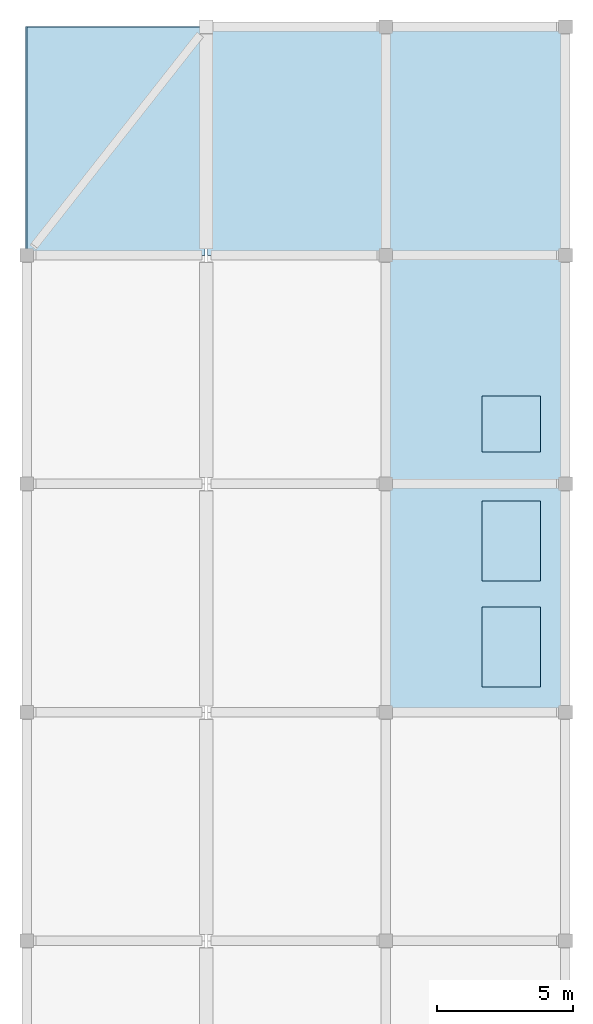
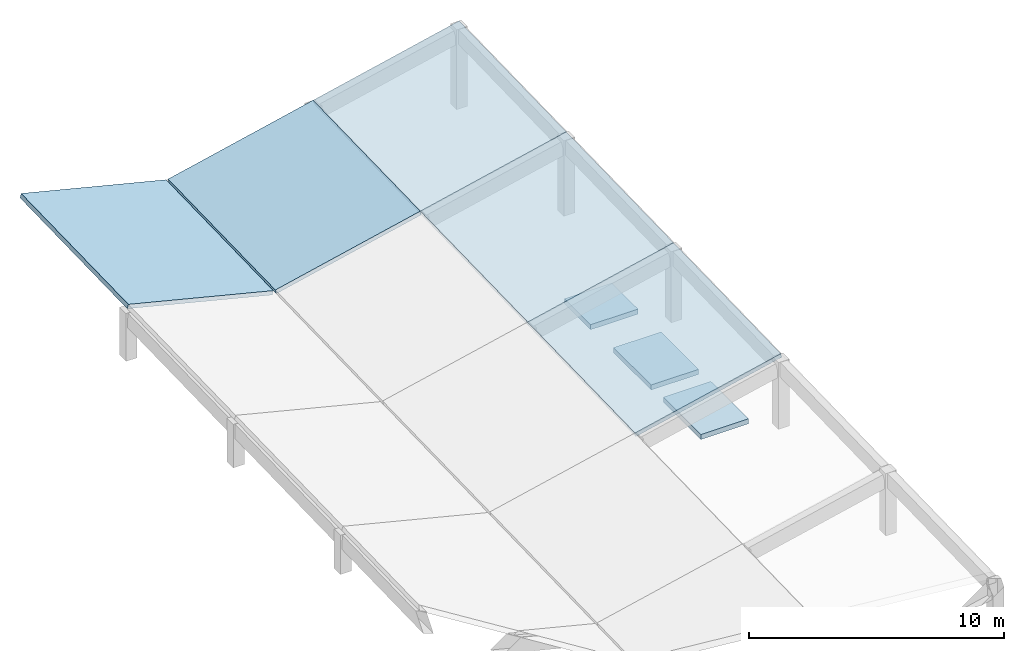
# One storey, part 2 of 2: 8 slabs.
"""IFC4 building model written with IfcOpenShell, lengths in metres."""

from ifc_helpers import new_model, si_unit, direction, frame, origin, place, context, subcontext, project, spatial, polyline, outline, extrude, material, layer, layer_set, type_object, element, save


model = new_model("IFC4")

# Units and contexts
model_context = context("Model", 3, precision=1e-05, world=origin(), true_north=direction((0.0, 1.0)))
body_context = subcontext(model_context, "Body", "Model", "MODEL_VIEW")
ifc_project = project(units=[si_unit("LENGTHUNIT", "METRE"), si_unit("AREAUNIT", "SQUARE_METRE"), si_unit("VOLUMEUNIT", "CUBIC_METRE"), si_unit("PLANEANGLEUNIT", "RADIAN"), si_unit("MASSUNIT", "GRAM", prefix="KILO")], contexts=[model_context])

# Site, building, storey
site_placement = place(None, origin())
site = spatial("IfcSite", under=ifc_project, at=site_placement, CompositionType="ELEMENT")
building_placement = place(site_placement, origin())
building = spatial("IfcBuilding", under=site, at=building_placement, Name="Qaldarim Faculty of Natural and Applied Sciences", CompositionType="ELEMENT")
storey_placement = place(building_placement, frame((0.0, 0.0, 51.0)))
storey = spatial("IfcBuildingStorey", under=building, at=storey_placement, Name="RF", CompositionType="ELEMENT", Elevation=51.0)

# Slabs
ifc_material = material(Name="Concrete C40/50", Category="concrete")
ifc_layer_1 = layer(ifc_material, 0.239990234375)
ifc_layer_set_1 = layer_set([ifc_layer_1], Name="Concrete C40/50")
slab_type_1 = type_object("IfcSlabType", Name="FlatStructuralRoofSlab-240", PredefinedType="ROOF", material=ifc_layer_set_1)
slab_1_placement = place(storey_placement, frame((0.0, 0.0, -0.199951171875)))
element("IfcSlab", 1, at=slab_1_placement, inside=storey, type_object=slab_type_1, Name="Lift LF-A1 overrun roof cap", PredefinedType="ROOF", context=body_context, shape_type="SweptSolid", body=[
    extrude(outline(polyline([(175.125, 17.72509765625), (177.27490234375, 17.72509765625), (177.27490234375, 20.675048828125), (175.125, 20.675048828125), (175.125, 17.72509765625)])), origin(), (0.0, 0.0, 1.0), 0.239990234375),
])
slab_2_placement = place(storey_placement, frame((0.0, 0.0, -0.199951171875)))
element("IfcSlab", 2, at=slab_2_placement, inside=storey, type_object=slab_type_1, Name="Lift LF-A2 overrun roof cap", PredefinedType="ROOF", context=body_context, shape_type="SweptSolid", body=[
    extrude(outline(polyline([(175.125, 21.625), (177.27490234375, 21.625), (177.27490234375, 24.574951171875), (175.125, 24.574951171875), (175.125, 21.625)])), origin(), (0.0, 0.0, 1.0), 0.239990234375),
])
slab_3_placement = place(storey_placement, frame((0.0, 0.0, -0.199951171875)))
element("IfcSlab", 3, at=slab_3_placement, inside=storey, type_object=slab_type_1, Name="Lift LF-A3 overrun roof cap", PredefinedType="ROOF", context=body_context, shape_type="SweptSolid", body=[
    extrude(outline(polyline([(175.125, 26.375), (177.27490234375, 26.375), (177.27490234375, 28.425048828125), (175.125, 28.425048828125), (175.125, 26.375)])), origin(), (0.0, 0.0, 1.0), 0.239990234375),
])
ifc_layer_2 = layer(ifc_material, 0.199951171875)
ifc_layer_set_2 = layer_set([ifc_layer_2], Name="Concrete C40/50")
slab_type_2 = type_object("IfcSlabType", Name="ObservatorySlopedRoofSlab-200", PredefinedType="ROOF", material=ifc_layer_set_2)
slab_4_placement = place(storey_placement, frame((158.351318359375, 33.60498046875, 2.2958984375), z_axis=(0.242447348337, -0.024242312597, 0.969861636299), x_axis=(0.970146750831, 0.0, -0.24251862166)))
element("IfcSlab", 4, at=slab_4_placement, inside=storey, type_object=slab_type_2, Name="Observatory folded butterfly roof panel X25Y05", PredefinedType="ROOF", context=body_context, shape_type="SweptSolid", body=[
    extrude(outline(polyline([(0.0, 0.0), (6.75689092978439, 6.938893903907228e-18), (6.705971492619395, 8.402371700343386), (-0.050919437164995286, 8.402371700343386), (0.0, 0.0)])), origin(), (0.0, 0.0, 1.0), 0.199951171875),
])
slab_5_placement = place(storey_placement, frame((165.0888671875, 33.60498046875, 0.655029296875), z_axis=(-0.219438310949, -0.024378791458, 0.975321742921), x_axis=(0.975611701453, 0.0, 0.219503548919)))
element("IfcSlab", 5, at=slab_5_placement, inside=storey, type_object=slab_type_2, Name="Observatory folded butterfly roof panel X26Y05", PredefinedType="ROOF", context=body_context, shape_type="SweptSolid", body=[
    extrude(outline(polyline([(0.0, 0.0), (6.719041778083983, 0.0), (6.765128948999609, 8.402399594906779), (0.046087170915627154, 8.402399594906779), (0.0, 0.0)])), origin(), (0.0, 0.0, 1.0), 0.199951171875),
])
slab_6_placement = place(storey_placement, frame((171.64404296875, 16.804931640625, 1.7099609375), z_axis=(-0.219449454596, -0.024392893648, 0.975318883041), x_axis=(0.975609178728, -4.29302e-07, 0.219514761194)))
element("IfcSlab", 6, at=slab_6_placement, inside=storey, type_object=slab_type_2, Name="Observatory folded butterfly roof panel X27Y03", PredefinedType="ROOF", context=body_context, shape_type="SweptSolid", body=[
    extrude(outline(polyline([(0.0, 0.0), (6.764827076691429, 0.0), (6.810966588119626, 8.402405410994922), (0.04608591895720281, 8.402399600930188), (0.0, 0.0)])), origin(), (0.0, 0.0, 1.0), 0.199951171875),
])
slab_7_placement = place(storey_placement, frame((171.64404296875, 25.204833984375, 1.919921875), z_axis=(-0.21946670481, -0.024377923771, 0.975315375821), x_axis=(0.975605311811, 0.0, 0.219531946574)))
element("IfcSlab", 7, at=slab_7_placement, inside=storey, type_object=slab_type_2, Name="Observatory folded butterfly roof panel X27Y04", PredefinedType="ROOF", context=body_context, shape_type="SweptSolid", body=[
    extrude(outline(polyline([(0.0, 0.0), (6.764880670212586, 0.0), (6.8109738035265375, 8.402643630268683), (0.04609313331395161, 8.402643630268683), (0.0, 0.0)])), origin(), (0.0, 0.0, 1.0), 0.199951171875),
])
slab_8_placement = place(storey_placement, frame((171.64404296875, 33.60498046875, 2.1298828125), z_axis=(-0.219466701019, -0.024378631887, 0.975315358974), x_axis=(0.975605311811, 0.0, 0.219531946574)))
element("IfcSlab", 8, at=slab_8_placement, inside=storey, type_object=slab_type_2, Name="Observatory folded butterfly roof panel X27Y05", PredefinedType="ROOF", context=body_context, shape_type="SweptSolid", body=[
    extrude(outline(polyline([(0.0, 0.0), (6.764880670212586, 0.0), (6.8109738035265375, 8.402399562200902), (0.04609313331395161, 8.402399562200902), (0.0, 0.0)])), origin(), (0.0, 0.0, 1.0), 0.199951171875),
])

save(model, "model.ifc")
